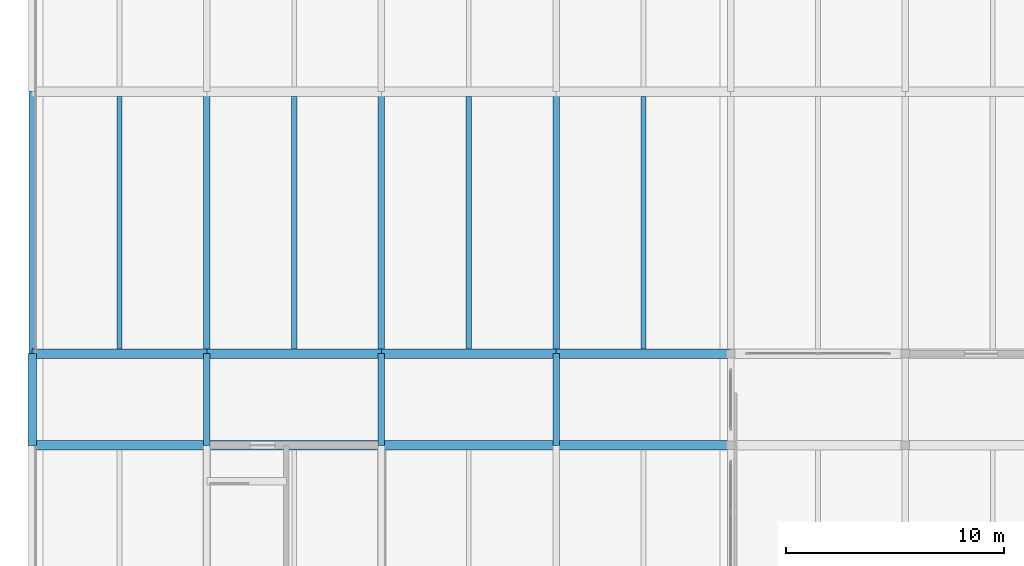
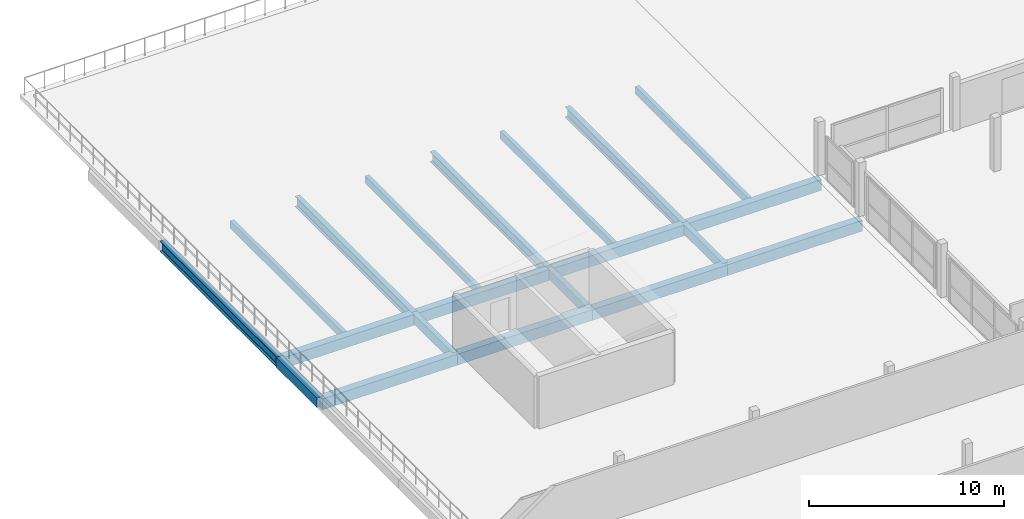
# One storey, part 20 of 51: 20 beams.
"""IFC4 building model written with IfcOpenShell, lengths in metres."""

from ifc_helpers import new_model, si_unit, direction, frame, origin, origin_2d, place, context, subcontext, project, spatial, rectangle, i_section, extrude, material, material_profile, profile_set, type_object, element, save


model = new_model("IFC4")

# Units and contexts
model_context = context("Model", 3, precision=1e-05, world=origin(), true_north=direction((0.0, 1.0)))
body_context = subcontext(model_context, "Body", "Model", "MODEL_VIEW")
ifc_project = project(units=[si_unit("LENGTHUNIT", "METRE"), si_unit("AREAUNIT", "SQUARE_METRE"), si_unit("VOLUMEUNIT", "CUBIC_METRE"), si_unit("PLANEANGLEUNIT", "RADIAN"), si_unit("MASSUNIT", "GRAM", prefix="KILO")], contexts=[model_context])

# Site, building, storey
site_placement = place(None, origin())
site = spatial("IfcSite", under=ifc_project, at=site_placement, CompositionType="ELEMENT")
building_placement = place(site_placement, origin())
building = spatial("IfcBuilding", under=site, at=building_placement, Name="Vharandega Faculty of Natural Sciences", CompositionType="ELEMENT")
storey_placement = place(building_placement, frame((0.0, 0.0, 18.0)))
storey = spatial("IfcBuildingStorey", under=building, at=storey_placement, Name="L04", CompositionType="ELEMENT", Elevation=18.0)

# Beams
ifc_material_1 = material(Name="Glulam GL28h", Category="wood")
ifc_material_profile_1 = material_profile(ifc_material_1, rectangle(XDim=0.300048828125, YDim=0.60009765625, at=origin_2d()), Name="GL28h 300x600")
ifc_profile_set_1 = profile_set([ifc_material_profile_1], Name="Glulam GL28h")
beam_type_1 = type_object("IfcBeamType", Name="Glulam Floor Beam 300x600", PredefinedType="BEAM", material=ifc_profile_set_1)
for number, where, z_axis, x_axis, name in (
    (1, (8.0, 80.800048828125, -0.56005859375), (0.0, 1.0, 0.0), (-1.0, 0.0, 0.0), "Beam L04 2/L-M"),
    (2, (16.0, 80.800048828125, -0.56005859375), (0.0, 1.0, 0.0), (-1.0, 0.0, 0.0), "Beam L04 3/L-M"),
    (3, (24.0, 80.800048828125, -0.56005859375), (0.0, 1.0, 0.0), (-1.0, 0.0, 0.0), "Beam L04 4/L-M"),
):
    element("IfcBeam", number, at=place(storey_placement, frame(where, z_axis=z_axis, x_axis=x_axis)), inside=storey, type_object=beam_type_1, Name=name, PredefinedType="BEAM", context=body_context, shape_type="SweptSolid", body=[
        extrude(rectangle(XDim=0.300048828125, YDim=0.60009765625, at=origin_2d()), origin(), (0.0, 0.0, 1.0), 4.199951171875),
    ])
ifc_material_2 = material(Name="Glulam GL32h", Category="wood")
ifc_material_profile_2 = material_profile(ifc_material_2, rectangle(XDim=0.43994140625, YDim=0.679931640625, at=origin_2d()), Name="GL32h 440x680")
ifc_profile_set_2 = profile_set([ifc_material_profile_2], Name="Glulam GL32h")
beam_type_2 = type_object("IfcBeamType", Name="Glulam Girder 440x680", PredefinedType="BEAM", material=ifc_profile_set_2)
for number, where, z_axis, x_axis, name in (
    (4, (0.0, 80.800048828125, -0.60009765625), (1.0, 0.0, 0.0), (0.0, 1.0, 0.0), "Beam L04 L/1-2"),
    (5, (8.0, 80.800048828125, -0.60009765625), (1.0, 0.0, 0.0), (0.0, 1.0, 0.0), "Beam L04 L/2-3"),
    (6, (16.0, 80.800048828125, -0.60009765625), (1.0, 0.0, 0.0), (0.0, 1.0, 0.0), "Beam L04 L/3-4"),
    (7, (24.0, 80.800048828125, -0.60009765625), (1.0, 0.0, 0.0), (0.0, 1.0, 0.0), "Beam L04 L/4-5"),
    (8, (0.0, 85.0, -0.60009765625), (1.0, 0.0, 0.0), (0.0, 1.0, 0.0), "Beam L04 M/1-2"),
    (9, (8.0, 85.0, -0.60009765625), (1.0, 0.0, 0.0), (0.0, 1.0, 0.0), "Beam L04 M/2-3"),
    (10, (16.0, 85.0, -0.60009765625), (1.0, 0.0, 0.0), (0.0, 1.0, 0.0), "Beam L04 M/3-4"),
    (11, (24.0, 85.0, -0.60009765625), (1.0, 0.0, 0.0), (0.0, 1.0, 0.0), "Beam L04 M/4-5"),
):
    element("IfcBeam", number, at=place(storey_placement, frame(where, z_axis=z_axis, x_axis=x_axis)), inside=storey, type_object=beam_type_2, Name=name, PredefinedType="BEAM", context=body_context, shape_type="SweptSolid", body=[
        extrude(rectangle(XDim=0.43994140625, YDim=0.679931640625, at=origin_2d()), origin(), (0.0, 0.0, 1.0), 8.0),
    ])
ifc_material_3 = material(Name="Glulam GL28h", Category="wood")
ifc_material_profile_3 = material_profile(ifc_material_3, rectangle(XDim=0.239990234375, YDim=0.47998046875, at=origin_2d()), Name="GL28h 240x480")
ifc_profile_set_3 = profile_set([ifc_material_profile_3], Name="Glulam GL28h")
beam_type_3 = type_object("IfcBeamType", Name="Glulam Secondary Joist 240x480", PredefinedType="JOIST", material=ifc_profile_set_3)
for number, where, z_axis, x_axis, name in (
    (12, (4.0, 85.219970703125, -0.5), (0.0, 1.0, 0.0), (-1.0, 0.0, 0.0), "Secondary Joist L04 1-2/M-N"),
    (13, (12.0, 85.219970703125, -0.5), (0.0, 1.0, 0.0), (-1.0, 0.0, 0.0), "Secondary Joist L04 2-3/M-N"),
    (14, (20.0, 85.219970703125, -0.5), (0.0, 1.0, 0.0), (-1.0, 0.0, 0.0), "Secondary Joist L04 3-4/M-N"),
    (15, (28.0, 85.219970703125, -0.5), (0.0, 1.0, 0.0), (-1.0, 0.0, 0.0), "Secondary Joist L04 4-5/M-N"),
):
    element("IfcBeam", number, at=place(storey_placement, frame(where, z_axis=z_axis, x_axis=x_axis)), inside=storey, type_object=beam_type_3, Name=name, PredefinedType="JOIST", context=body_context, shape_type="SweptSolid", body=[
        extrude(rectangle(XDim=0.239990234375, YDim=0.47998046875, at=origin_2d()), origin(), (0.0, 0.0, 1.0), 11.56005859375),
    ])
ifc_material_4 = material(Name="Glulam GL32h", Category="wood")
ifc_material_profile_4 = material_profile(ifc_material_4, rectangle(XDim=0.39990234375, YDim=0.60009765625, at=origin_2d()), Name="GL32h 400x600")
ifc_profile_set_4 = profile_set([ifc_material_profile_4], Name="Glulam GL32h")
beam_type_4 = type_object("IfcBeamType", Name="Glulam Spine Girder 400x600", PredefinedType="BEAM", material=ifc_profile_set_4)
beam_placement = place(storey_placement, frame((0.0, 80.800048828125, -0.56005859375), z_axis=(0.0, 1.0, 0.0), x_axis=(-1.0, 0.0, 0.0)))
element("IfcBeam", 16, at=beam_placement, inside=storey, type_object=beam_type_4, Name="Beam L04 1/L-M", PredefinedType="BEAM", context=body_context, shape_type="SweptSolid", body=[
    extrude(rectangle(XDim=0.39990234375, YDim=0.60009765625, at=origin_2d()), origin(), (0.0, 0.0, 1.0), 4.199951171875),
])
ifc_material_5 = material(Name="Steel S355", Category="steel")
ifc_material_profile_5 = material_profile(ifc_material_5, i_section(OverallWidth=0.300048828125, OverallDepth=0.64990234375, WebThickness=0.01611328125, FlangeThickness=0.031005859375, FilletRadius=0.027099609375, at=origin_2d()), Name="HEB 650")
ifc_profile_set_5 = profile_set([ifc_material_profile_5], Name="Steel S355")
beam_type_5 = type_object("IfcBeamType", Name="Steel Collector Beam HEB 650", PredefinedType="BEAM", material=ifc_profile_set_5)
for number, where, z_axis, x_axis, name in (
    (17, (0.0, 85.0, -0.5849609375), (0.0, 1.0, 0.0), (-1.0, 0.0, 0.0), "Beam L04 1/M-N"),
    (18, (8.0, 85.0, -0.5849609375), (0.0, 1.0, 0.0), (-1.0, 0.0, 0.0), "Beam L04 2/M-N"),
    (19, (16.0, 85.0, -0.5849609375), (0.0, 1.0, 0.0), (-1.0, 0.0, 0.0), "Beam L04 3/M-N"),
    (20, (24.0, 85.0, -0.5849609375), (0.0, 1.0, 0.0), (-1.0, 0.0, 0.0), "Beam L04 4/M-N"),
):
    element("IfcBeam", number, at=place(storey_placement, frame(where, z_axis=z_axis, x_axis=x_axis)), inside=storey, type_object=beam_type_5, Name=name, PredefinedType="BEAM", context=body_context, shape_type="SweptSolid", body=[
        extrude(i_section(OverallWidth=0.300048828125, OverallDepth=0.64990234375, WebThickness=0.01611328125, FlangeThickness=0.031005859375, FilletRadius=0.027099609375, at=origin_2d()), origin(), (0.0, 0.0, 1.0), 12.0),
    ])

save(model, "model.ifc")
